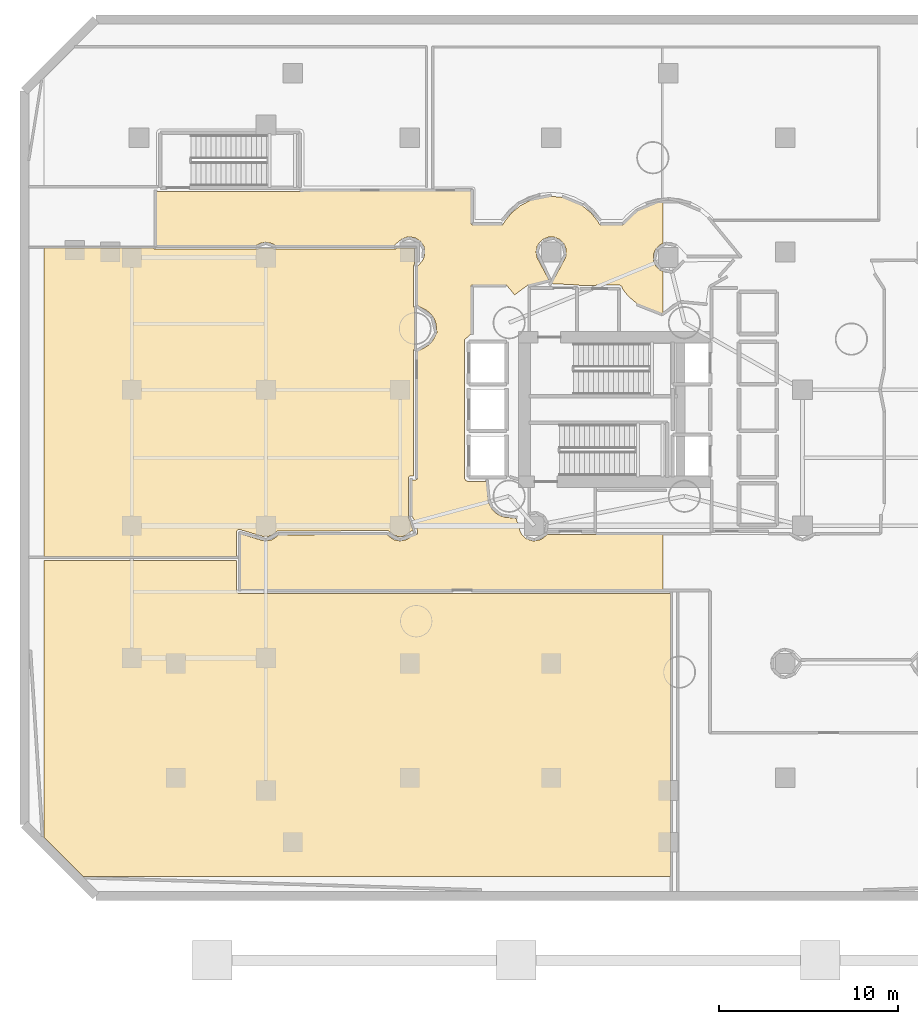
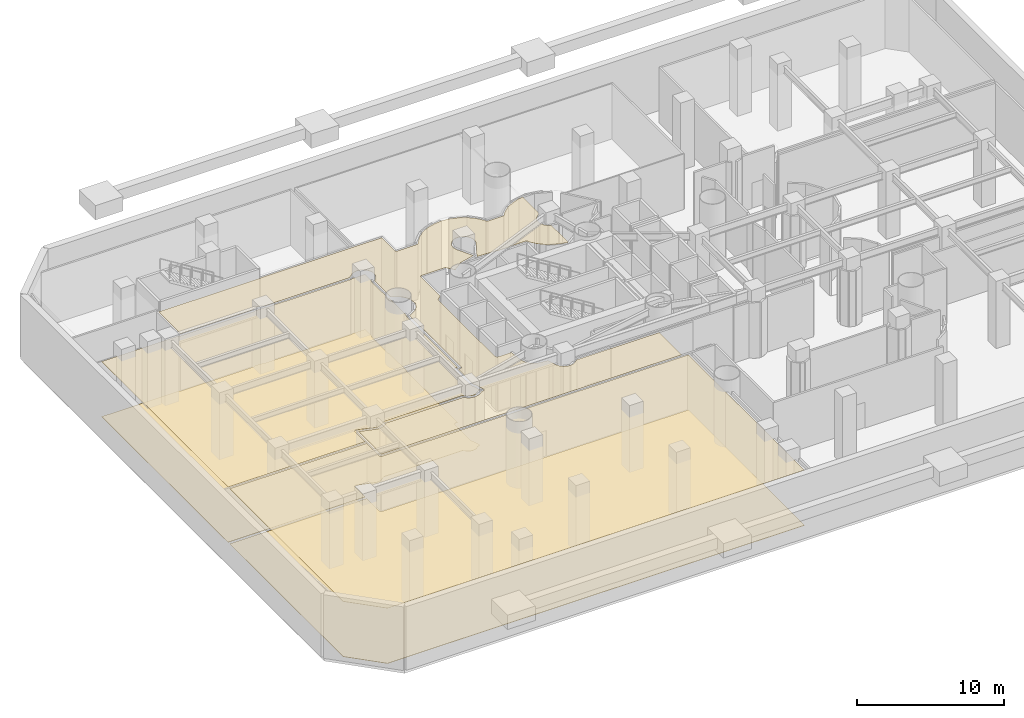
# One storey, part 8 of 11: 5 coverings.
"""IFC4 building model written with IfcOpenShell, lengths in metres."""

from ifc_helpers import new_model, si_unit, direction, frame, origin, place, context, subcontext, project, spatial, polyline, outline, extrude, material, layer, layer_set, type_object, element, save


model = new_model("IFC4")

# Units and contexts
model_context = context("Model", 3, precision=1e-05, world=origin(), true_north=direction((0.0, 1.0)))
body_context = subcontext(model_context, "Body", "Model", "MODEL_VIEW")
ifc_project = project(units=[si_unit("LENGTHUNIT", "METRE"), si_unit("AREAUNIT", "SQUARE_METRE"), si_unit("VOLUMEUNIT", "CUBIC_METRE"), si_unit("PLANEANGLEUNIT", "RADIAN"), si_unit("MASSUNIT", "GRAM", prefix="KILO")], contexts=[model_context])

# Site, building, storey
site_placement = place(None, origin())
site = spatial("IfcSite", under=ifc_project, at=site_placement, CompositionType="ELEMENT")
building_placement = place(site_placement, origin())
building = spatial("IfcBuilding", under=site, at=building_placement, Name="Qianvela Tower", CompositionType="ELEMENT")
storey_placement = place(building_placement, frame((0.0, 0.0, -5.60009765625)))
storey = spatial("IfcBuildingStorey", under=building, at=storey_placement, Name="B01", CompositionType="ELEMENT", Elevation=-5.60009765625)

# Coverings
ifc_material_1 = material(Name="Perforated Mineral Acoustic Ceiling Tile")
ifc_layer_1 = layer(ifc_material_1, 0.02490234375)
ifc_layer_set_1 = layer_set([ifc_layer_1], Name="Perforated Mineral Acoustic Ceiling Tile")
covering_type_1 = type_object("IfcCoveringType", Name="COV-CEIL-ACOUSTIC-25", PredefinedType="CEILING", material=ifc_layer_set_1)
covering_1_placement = place(storey_placement, frame((0.0, 0.0, 4.59521484375)))
element("IfcCovering", 1, at=covering_1_placement, inside=storey, type_object=covering_type_1, Name="B01 Acoustic Ceiling Bay 1 B01 Plant and Bicycle Corridor", PredefinedType="CEILING", context=body_context, shape_type="SweptSolid", body=[
    extrude(outline(polyline([(8.8798828125, 40.8798828125), (16.89990234375, 40.8798828125), (16.908935546875, 40.880615234375), (16.917724609375, 40.882080078125), (17.085205078125, 40.919921875), (26.469970703125, 40.919921875), (26.469970703125, 39.10009765625), (26.470458984375, 39.09228515625), (26.471435546875, 39.08447265625), (26.473388671875, 39.076904296875), (26.47607421875, 39.0693359375), (26.4794921875, 39.062255859375), (26.4833984375, 39.0556640625), (26.48828125, 39.04931640625), (26.493408203125, 39.04345703125), (26.499267578125, 39.0380859375), (26.505615234375, 39.033447265625), (26.51220703125, 39.029296875), (26.519287109375, 39.026123046875), (26.52685546875, 39.0234375), (26.534423828125, 39.021484375), (26.542236328125, 39.0205078125), (26.550048828125, 39.02001953125), (28.19970703125, 39.02001953125), (28.20751953125, 39.0205078125), (28.21533203125, 39.021484375), (28.222900390625, 39.0234375), (28.230224609375, 39.026123046875), (28.2373046875, 39.029296875), (28.244140625, 39.033447265625), (28.25048828125, 39.0380859375), (28.256103515625, 39.04345703125), (28.261474609375, 39.04931640625), (28.26611328125, 39.0556640625), (28.270263671875, 39.062255859375), (28.361572265625, 39.233154296875), (28.74951171875, 39.705810546875), (29.22216796875, 40.093994140625), (29.76171875, 40.382080078125), (30.3466796875, 40.559814453125), (30.955322265625, 40.61962890625), (31.56396484375, 40.559814453125), (32.149169921875, 40.382080078125), (32.688720703125, 40.093994140625), (33.161376953125, 39.705810546875), (33.54931640625, 39.233154296875), (33.640625, 39.062255859375), (33.64453125, 39.0556640625), (33.6494140625, 39.04931640625), (33.654541015625, 39.04345703125), (33.660400390625, 39.0380859375), (33.666748046875, 39.033447265625), (33.67333984375, 39.029296875), (33.680419921875, 39.026123046875), (33.68798828125, 39.0234375), (33.695556640625, 39.021484375), (33.703369140625, 39.0205078125), (33.711181640625, 39.02001953125), (34.939697265625, 39.02001953125), (34.947509765625, 39.0205078125), (34.955078125, 39.021484375), (34.962890625, 39.0234375), (34.97021484375, 39.026123046875), (34.977294921875, 39.029296875), (34.98388671875, 39.033447265625), (34.990234375, 39.0380859375), (34.99609375, 39.04345703125), (35.00146484375, 39.04931640625), (35.294189453125, 39.406005859375), (35.766845703125, 39.7939453125), (36.30615234375, 40.08203125), (36.891357421875, 40.259765625), (37.21533203125, 40.29150390625), (37.21533203125, 37.986083984375), (37.04150390625, 37.9140625), (37.034423828125, 37.910888671875), (37.02783203125, 37.90673828125), (37.021484375, 37.902099609375), (37.015625, 37.896728515625), (36.80322265625, 37.684326171875), (36.7978515625, 37.678466796875), (36.793212890625, 37.672119140625), (36.789306640625, 37.66552734375), (36.785888671875, 37.658447265625), (36.6708984375, 37.380859375), (36.668212890625, 37.373291015625), (36.666259765625, 37.36572265625), (36.665283203125, 37.358154296875), (36.664794921875, 37.35009765625), (36.664794921875, 37.0498046875), (36.665283203125, 37.0419921875), (36.666259765625, 37.0341796875), (36.668212890625, 37.026611328125), (36.6708984375, 37.019287109375), (36.785888671875, 36.74169921875), (36.789306640625, 36.734619140625), (36.793212890625, 36.727783203125), (36.7978515625, 36.721435546875), (36.80322265625, 36.715576171875), (37.015625, 36.503173828125), (37.021484375, 36.497802734375), (37.02783203125, 36.493408203125), (37.034423828125, 36.4892578125), (37.04150390625, 36.48583984375), (37.21533203125, 36.413818359375), (37.21533203125, 34.123046875), (37.143310546875, 34.06396484375), (36.30615234375, 34.31787109375), (35.766845703125, 34.606201171875), (35.294189453125, 34.994140625), (34.957763671875, 35.40380859375), (34.906494140625, 35.542236328125), (34.9033203125, 35.5498046875), (34.8994140625, 35.556884765625), (34.894775390625, 35.5634765625), (34.889404296875, 35.569580078125), (34.883544921875, 35.5751953125), (34.806884765625, 35.640869140625), (34.800537109375, 35.645751953125), (34.793701171875, 35.64990234375), (34.786376953125, 35.653564453125), (34.77880859375, 35.65625), (34.77099609375, 35.658447265625), (34.762939453125, 35.65966796875), (34.7548828125, 35.659912109375), (33.49951171875, 35.659912109375), (33.49169921875, 35.65966796875), (33.48388671875, 35.658447265625), (33.476318359375, 35.656494140625), (33.46875, 35.65380859375), (33.461669921875, 35.650634765625), (33.455078125, 35.646484375), (33.44873046875, 35.641845703125), (33.44287109375, 35.63671875), (33.4375, 35.630859375), (33.430419921875, 35.6220703125), (32.5966796875, 35.6220703125), (32.4453125, 35.659423828125), (32.437744140625, 35.660888671875), (32.429931640625, 35.66162109375), (30.970703125, 35.7333984375), (31.7373046875, 37.16748046875), (31.74072265625, 37.1748046875), (31.743408203125, 37.18212890625), (31.787109375, 37.32666015625), (31.7890625, 37.334228515625), (31.790283203125, 37.341796875), (31.79052734375, 37.349853515625), (31.79052734375, 37.650146484375), (31.790283203125, 37.658203125), (31.7890625, 37.665771484375), (31.787109375, 37.67333984375), (31.784423828125, 37.680908203125), (31.66943359375, 37.95849609375), (31.666259765625, 37.965576171875), (31.662109375, 37.97216796875), (31.657470703125, 37.978515625), (31.652099609375, 37.984375), (31.439697265625, 38.19677734375), (31.433837890625, 38.2021484375), (31.427490234375, 38.206787109375), (31.4208984375, 38.210693359375), (31.413818359375, 38.214111328125), (31.13623046875, 38.3291015625), (31.12890625, 38.331787109375), (31.12109375, 38.333740234375), (31.113525390625, 38.334716796875), (31.105712890625, 38.335205078125), (30.80517578125, 38.335205078125), (30.79736328125, 38.334716796875), (30.78955078125, 38.333740234375), (30.781982421875, 38.331787109375), (30.774658203125, 38.3291015625), (30.4970703125, 38.214111328125), (30.489990234375, 38.210693359375), (30.483154296875, 38.206787109375), (30.476806640625, 38.2021484375), (30.470947265625, 38.19677734375), (30.258544921875, 37.984375), (30.25341796875, 37.978515625), (30.248779296875, 37.97216796875), (30.24462890625, 37.965576171875), (30.173583984375, 37.83251953125), (30.170166015625, 37.8251953125), (30.16748046875, 37.81787109375), (30.16552734375, 37.810302734375), (30.10693359375, 37.515625), (30.105712890625, 37.5078125), (30.10546875, 37.5), (30.105712890625, 37.4921875), (30.10693359375, 37.484375), (30.16552734375, 37.189697265625), (30.16748046875, 37.18212890625), (30.170166015625, 37.1748046875), (30.173583984375, 37.16748046875), (30.8251953125, 35.947998046875), (29.65673828125, 35.65478515625), (29.6494140625, 35.652587890625), (29.64208984375, 35.649658203125), (29.63525390625, 35.64599609375), (29.628662109375, 35.6416015625), (28.90380859375, 35.10595703125), (28.47314453125, 35.630859375), (28.468017578125, 35.63671875), (28.462158203125, 35.641845703125), (28.455810546875, 35.646484375), (28.44921875, 35.650634765625), (28.44189453125, 35.65380859375), (28.4345703125, 35.656494140625), (28.427001953125, 35.658447265625), (28.419189453125, 35.65966796875), (28.411376953125, 35.659912109375), (26.550048828125, 35.659912109375), (26.542236328125, 35.65966796875), (26.534423828125, 35.658447265625), (26.52685546875, 35.656494140625), (26.519287109375, 35.65380859375), (26.51220703125, 35.650634765625), (26.505615234375, 35.646484375), (26.499267578125, 35.641845703125), (26.493408203125, 35.63671875), (26.48828125, 35.630859375), (26.4833984375, 35.62451171875), (26.4794921875, 35.61767578125), (26.47607421875, 35.610595703125), (26.473388671875, 35.603271484375), (26.471435546875, 35.595703125), (26.470458984375, 35.587890625), (26.469970703125, 35.580078125), (26.469970703125, 32.93212890625), (26.12548828125, 32.6123046875), (26.119873046875, 32.6064453125), (26.11474609375, 32.60009765625), (26.1103515625, 32.593017578125), (26.106689453125, 32.585693359375), (26.103759765625, 32.577880859375), (26.101806640625, 32.570068359375), (26.100341796875, 32.56201171875), (26.10009765625, 32.5537109375), (26.102783203125, 24.872802734375), (26.10302734375, 24.86474609375), (26.104248046875, 24.857177734375), (26.106201171875, 24.849609375), (26.10888671875, 24.842041015625), (26.112060546875, 24.8349609375), (26.150390625, 24.76318359375), (26.15478515625, 24.756103515625), (26.159912109375, 24.749267578125), (26.165771484375, 24.7431640625), (26.17236328125, 24.737548828125), (26.17919921875, 24.732666015625), (26.186767578125, 24.728759765625), (26.272216796875, 24.6884765625), (26.2802734375, 24.68505859375), (26.288818359375, 24.6826171875), (26.29736328125, 24.68115234375), (26.30615234375, 24.6806640625), (27.31787109375, 24.679931640625), (27.421875, 23.623779296875), (27.423095703125, 23.615966796875), (27.425048828125, 23.6083984375), (27.48876953125, 23.398193359375), (27.4912109375, 23.390869140625), (27.49462890625, 23.3837890625), (27.59814453125, 23.18994140625), (27.602294921875, 23.183349609375), (27.60693359375, 23.177001953125), (27.74609375, 23.00732421875), (27.75146484375, 23.00146484375), (27.75732421875, 22.99609375), (27.927001953125, 22.85693359375), (27.933349609375, 22.852294921875), (27.93994140625, 22.84814453125), (28.1337890625, 22.74462890625), (28.140869140625, 22.7412109375), (28.148193359375, 22.73876953125), (28.3583984375, 22.675048828125), (28.365966796875, 22.673095703125), (28.373779296875, 22.671875), (28.990966796875, 22.611083984375), (29.212158203125, 21.882080078125), (29.214599609375, 21.874755859375), (29.218017578125, 21.86767578125), (29.289306640625, 21.734619140625), (29.293212890625, 21.727783203125), (29.2978515625, 21.721435546875), (29.30322265625, 21.715576171875), (29.515625, 21.503173828125), (29.521484375, 21.497802734375), (29.52783203125, 21.493408203125), (29.534423828125, 21.4892578125), (29.54150390625, 21.48583984375), (29.819091796875, 21.370849609375), (29.82666015625, 21.3681640625), (29.834228515625, 21.3662109375), (29.841796875, 21.365234375), (29.9921875, 21.350341796875), (30.0, 21.35009765625), (30.0078125, 21.350341796875), (30.015625, 21.3515625), (30.310302734375, 21.41015625), (30.31787109375, 21.412109375), (30.3251953125, 21.414794921875), (30.33251953125, 21.418212890625), (30.465576171875, 21.4892578125), (30.47216796875, 21.493408203125), (30.478515625, 21.497802734375), (30.724853515625, 21.699951171875), (37.21533203125, 21.699951171875), (37.21533203125, 18.6298828125), (13.580078125, 18.6298828125), (13.580078125, 21.746337890625), (14.82666015625, 21.3681640625), (14.834228515625, 21.3662109375), (14.841796875, 21.365234375), (14.9921875, 21.350341796875), (15.0, 21.35009765625), (15.0078125, 21.350341796875), (15.015625, 21.3515625), (15.310302734375, 21.41015625), (15.31787109375, 21.412109375), (15.3251953125, 21.414794921875), (15.33251953125, 21.418212890625), (15.465576171875, 21.4892578125), (15.47216796875, 21.493408203125), (15.478515625, 21.497802734375), (15.71533203125, 21.6923828125), (21.775390625, 21.699951171875), (22.021484375, 21.497802734375), (22.02783203125, 21.493408203125), (22.034423828125, 21.4892578125), (22.16748046875, 21.418212890625), (22.1748046875, 21.414794921875), (22.18212890625, 21.412109375), (22.189697265625, 21.41015625), (22.484375, 21.3515625), (22.4921875, 21.350341796875), (22.5, 21.35009765625), (22.5078125, 21.350341796875), (22.515625, 21.3515625), (22.810302734375, 21.41015625), (22.81787109375, 21.412109375), (22.8251953125, 21.414794921875), (22.83251953125, 21.418212890625), (22.965576171875, 21.4892578125), (22.97216796875, 21.493408203125), (22.978515625, 21.497802734375), (23.218017578125, 21.694580078125), (23.40234375, 21.699951171875), (23.41015625, 21.70068359375), (23.417724609375, 21.701904296875), (23.425048828125, 21.7041015625), (23.432373046875, 21.706787109375), (23.439208984375, 21.710205078125), (23.44580078125, 21.71435546875), (23.451904296875, 21.718994140625), (23.45751953125, 21.724365234375), (23.46240234375, 21.72998046875), (23.467041015625, 21.736328125), (23.470947265625, 21.742919921875), (23.47412109375, 21.75), (23.476806640625, 21.757080078125), (23.478515625, 21.7646484375), (23.4794921875, 21.772216796875), (23.47998046875, 21.780029296875), (23.47998046875, 21.872802734375), (23.4794921875, 21.880615234375), (23.478515625, 21.888427734375), (23.4765625, 21.89599609375), (23.287841796875, 22.517822265625), (23.285400390625, 22.525390625), (23.281982421875, 22.532470703125), (23.179931640625, 22.72314453125), (23.179931640625, 24.77001953125), (23.39990234375, 24.77001953125), (23.40771484375, 24.7705078125), (23.41552734375, 24.771484375), (23.423095703125, 24.7734375), (23.4306640625, 24.776123046875), (23.437744140625, 24.779296875), (23.4443359375, 24.783447265625), (23.45068359375, 24.7880859375), (23.45654296875, 24.79345703125), (23.4619140625, 24.79931640625), (23.466552734375, 24.8056640625), (23.470703125, 24.812255859375), (23.473876953125, 24.8193359375), (23.4765625, 24.826904296875), (23.478515625, 24.83447265625), (23.4794921875, 24.84228515625), (23.47998046875, 24.85009765625), (23.47998046875, 31.949462890625), (23.998046875, 32.226318359375), (24.004638671875, 32.230224609375), (24.010986328125, 32.23486328125), (24.1806640625, 32.374267578125), (24.1865234375, 32.37939453125), (24.19189453125, 32.38525390625), (24.3310546875, 32.554931640625), (24.335693359375, 32.561279296875), (24.33984375, 32.568115234375), (24.55078125, 32.963134765625), (24.55419921875, 32.97021484375), (24.556884765625, 32.9775390625), (24.558837890625, 32.985107421875), (24.56005859375, 32.992919921875), (24.560302734375, 33.000732421875), (24.56005859375, 33.008544921875), (24.51611328125, 33.454345703125), (24.514892578125, 33.462158203125), (24.512939453125, 33.4697265625), (24.44921875, 33.6796875), (24.44677734375, 33.687255859375), (24.443359375, 33.6943359375), (24.33984375, 33.887939453125), (24.335693359375, 33.894775390625), (24.3310546875, 33.90087890625), (24.19189453125, 34.07080078125), (24.1865234375, 34.076416015625), (24.1806640625, 34.081787109375), (24.010986328125, 34.22119140625), (24.004638671875, 34.225830078125), (23.998046875, 34.229736328125), (23.47998046875, 34.506591796875), (23.47998046875, 36.696533203125), (23.74658203125, 37.021484375), (23.751220703125, 37.02783203125), (23.75537109375, 37.034423828125), (23.826416015625, 37.16748046875), (23.829833984375, 37.1748046875), (23.83251953125, 37.18212890625), (23.87646484375, 37.32666015625), (23.87841796875, 37.334228515625), (23.87939453125, 37.341796875), (23.8798828125, 37.349853515625), (23.8798828125, 37.650146484375), (23.87939453125, 37.658203125), (23.87841796875, 37.665771484375), (23.87646484375, 37.67333984375), (23.83251953125, 37.81787109375), (23.829833984375, 37.8251953125), (23.826416015625, 37.83251953125), (23.822509765625, 37.839111328125), (23.655517578125, 38.0888671875), (23.65087890625, 38.09521484375), (23.6455078125, 38.10107421875), (23.639892578125, 38.106201171875), (23.633544921875, 38.111083984375), (23.3837890625, 38.27783203125), (23.376953125, 38.281982421875), (23.369873046875, 38.285400390625), (23.362548828125, 38.287841796875), (23.35498046875, 38.289794921875), (23.060302734375, 38.348388671875), (23.052490234375, 38.349609375), (23.044677734375, 38.35009765625), (23.036865234375, 38.349609375), (22.886474609375, 38.334716796875), (22.87890625, 38.333740234375), (22.87109375, 38.331787109375), (22.86376953125, 38.3291015625), (22.586181640625, 38.214111328125), (22.5791015625, 38.210693359375), (22.572509765625, 38.206787109375), (22.566162109375, 38.2021484375), (22.173583984375, 37.8798828125), (15.523193359375, 37.8798828125), (15.33251953125, 37.98193359375), (15.3251953125, 37.9853515625), (15.31787109375, 37.98779296875), (15.310302734375, 37.989990234375), (15.015625, 38.048583984375), (15.0078125, 38.049560546875), (15.0, 38.050048828125), (14.9921875, 38.049560546875), (14.984375, 38.048583984375), (14.689697265625, 37.989990234375), (14.68212890625, 37.98779296875), (14.6748046875, 37.9853515625), (14.66748046875, 37.98193359375), (14.476806640625, 37.8798828125), (8.8798828125, 37.8798828125), (8.8798828125, 40.8798828125)])), origin(), (0.0, 0.0, 1.0), 0.02490234375),
])
covering_2_placement = place(storey_placement, frame((0.0, 0.0, 4.59521484375)))
element("IfcCovering", 2, at=covering_2_placement, inside=storey, type_object=covering_type_1, Name="B01 Acoustic Ceiling B01 Commuter Bicycle Storage West", PredefinedType="CEILING", context=body_context, shape_type="SweptSolid", body=[
    extrude(outline(polyline([(23.320068359375, 36.84619140625), (23.2705078125, 36.76806640625), (23.2666015625, 36.761474609375), (23.263671875, 36.754638671875), (23.26123046875, 36.74755859375), (23.259521484375, 36.739990234375), (23.25830078125, 36.732666015625), (23.258056640625, 36.72509765625), (23.258056640625, 34.458740234375), (23.25830078125, 34.450439453125), (23.259765625, 34.4423828125), (23.26171875, 34.434326171875), (23.2646484375, 34.426513671875), (23.268310546875, 34.419189453125), (23.27294921875, 34.412353515625), (23.278076171875, 34.40576171875), (23.320068359375, 34.358154296875), (23.320068359375, 32.097900390625), (23.278076171875, 32.05029296875), (23.27294921875, 32.043701171875), (23.268310546875, 32.036865234375), (23.2646484375, 32.029296875), (23.26171875, 32.021728515625), (23.259765625, 32.013671875), (23.25830078125, 32.005615234375), (23.258056640625, 31.997314453125), (23.258056640625, 24.99169921875), (23.08740234375, 24.99072265625), (23.07958984375, 24.990478515625), (23.072021484375, 24.9892578125), (23.064453125, 24.9873046875), (23.05712890625, 24.984619140625), (23.050048828125, 24.981201171875), (23.04345703125, 24.977294921875), (23.037109375, 24.97265625), (23.03125, 24.96728515625), (23.026123046875, 24.961669921875), (22.976318359375, 24.90087890625), (22.971435546875, 24.894287109375), (22.96728515625, 24.8876953125), (22.964111328125, 24.880615234375), (22.96142578125, 24.873291015625), (22.95947265625, 24.865478515625), (22.95849609375, 24.85791015625), (22.9580078125, 24.85009765625), (22.958251953125, 22.697021484375), (22.958740234375, 22.689453125), (22.959716796875, 22.681884765625), (22.96142578125, 22.674560546875), (22.9638671875, 22.66748046875), (22.967041015625, 22.66064453125), (23.0791015625, 22.441162109375), (23.23291015625, 21.91455078125), (23.15966796875, 21.910400390625), (23.152099609375, 21.90966796875), (23.14453125, 21.908203125), (23.13720703125, 21.906005859375), (23.130126953125, 21.903076171875), (23.123291015625, 21.899658203125), (23.116943359375, 21.8955078125), (22.74072265625, 21.622802734375), (22.5, 21.57470703125), (22.2587890625, 21.622802734375), (21.856201171875, 21.906982421875), (21.84912109375, 21.911376953125), (21.841796875, 21.9150390625), (21.833984375, 21.91796875), (21.826171875, 21.919921875), (21.818115234375, 21.921142578125), (21.809814453125, 21.921630859375), (15.6865234375, 21.914306640625), (15.678466796875, 21.913818359375), (15.67041015625, 21.91259765625), (15.66259765625, 21.91064453125), (15.655029296875, 21.90771484375), (15.64794921875, 21.904296875), (15.64111328125, 21.89990234375), (15.24169921875, 21.622802734375), (14.992919921875, 21.573486328125), (14.87744140625, 21.584716796875), (13.516845703125, 21.99267578125), (13.5087890625, 21.994384765625), (13.500732421875, 21.99560546875), (13.49267578125, 21.995849609375), (13.484619140625, 21.995361328125), (13.476318359375, 21.993896484375), (13.468505859375, 21.99169921875), (13.4609375, 21.98876953125), (13.45361328125, 21.985107421875), (13.44677734375, 21.980712890625), (13.4404296875, 21.975341796875), (13.4345703125, 21.9697265625), (13.378662109375, 21.907958984375), (13.3740234375, 21.90234375), (13.369873046875, 21.896240234375), (13.3662109375, 21.889892578125), (13.36328125, 21.883056640625), (13.361083984375, 21.876220703125), (13.359375, 21.868896484375), (13.3583984375, 21.861572265625), (13.35791015625, 21.854248046875), (13.35791015625, 20.47998046875), (2.580078125, 20.47998046875), (2.580078125, 37.719970703125), (8.704833984375, 37.719970703125), (8.743408203125, 37.681396484375), (8.749267578125, 37.67626953125), (8.755615234375, 37.67138671875), (8.76220703125, 37.66748046875), (8.769287109375, 37.6640625), (8.77685546875, 37.661376953125), (8.784423828125, 37.659423828125), (8.792236328125, 37.658447265625), (8.800048828125, 37.657958984375), (14.496826171875, 37.657958984375), (14.505615234375, 37.658447265625), (14.514404296875, 37.659912109375), (14.52294921875, 37.662353515625), (14.531005859375, 37.66552734375), (14.646484375, 37.719970703125), (15.353515625, 37.719970703125), (15.468994140625, 37.66552734375), (15.47705078125, 37.662353515625), (15.485595703125, 37.659912109375), (15.494384765625, 37.658447265625), (15.503173828125, 37.657958984375), (22.2021484375, 37.657958984375), (22.209716796875, 37.658447265625), (22.21728515625, 37.659423828125), (22.224609375, 37.6611328125), (22.231689453125, 37.66357421875), (22.238525390625, 37.666748046875), (22.2451171875, 37.67041015625), (22.3232421875, 37.719970703125), (23.320068359375, 37.719970703125), (23.320068359375, 36.84619140625)])), origin(), (0.0, 0.0, 1.0), 0.02490234375),
])
covering_3_placement = place(storey_placement, frame((0.0, 0.0, 4.59521484375)))
element("IfcCovering", 3, at=covering_3_placement, inside=storey, type_object=covering_type_1, Name="B01 Acoustic Ceiling B01 Building Telecoms and Fibre Intake Room", PredefinedType="CEILING", context=body_context, shape_type="SweptSolid", body=[
    extrude(outline(polyline([(37.6201171875, 2.580078125), (4.78759765625, 2.580078125), (2.580078125, 4.78759765625), (2.580078125, 20.258056640625), (13.35791015625, 20.258056640625), (13.35791015625, 18.550048828125), (13.3583984375, 18.54248046875), (13.359375, 18.535400390625), (13.361083984375, 18.5283203125), (13.36328125, 18.521240234375), (13.3662109375, 18.514404296875), (13.369873046875, 18.508056640625), (13.3740234375, 18.501953125), (13.378662109375, 18.496337890625), (13.4345703125, 18.4345703125), (13.440673828125, 18.4287109375), (13.447021484375, 18.423583984375), (13.4541015625, 18.4189453125), (13.46142578125, 18.415283203125), (13.46923828125, 18.412109375), (13.477294921875, 18.409912109375), (13.485595703125, 18.40869140625), (13.493896484375, 18.408203125), (37.6201171875, 18.407958984375), (37.6201171875, 2.580078125)])), origin(), (0.0, 0.0, 1.0), 0.02490234375),
])
ifc_material_2 = material(Name="Honed Stone Terrazzo Flooring", Category="masonry")
ifc_layer_2 = layer(ifc_material_2, 0.030029296875)
ifc_layer_set_2 = layer_set([ifc_layer_2], Name="Honed Stone Terrazzo Flooring")
covering_type_2 = type_object("IfcCoveringType", Name="COV-FLOOR-TERRAZZO-30", PredefinedType="FLOORING", material=ifc_layer_set_2)
covering_4_placement = place(storey_placement, origin())
element("IfcCovering", 4, at=covering_4_placement, inside=storey, type_object=covering_type_2, Name="B01 Finish Flooring B01 Commuter Bicycle Storage West", PredefinedType="FLOORING", context=body_context, shape_type="SweptSolid", body=[
    extrude(outline(polyline([(23.320068359375, 36.84619140625), (23.2705078125, 36.76806640625), (23.2666015625, 36.761474609375), (23.263671875, 36.754638671875), (23.26123046875, 36.74755859375), (23.259521484375, 36.739990234375), (23.25830078125, 36.732666015625), (23.258056640625, 36.72509765625), (23.258056640625, 34.458740234375), (23.25830078125, 34.450439453125), (23.259765625, 34.4423828125), (23.26171875, 34.434326171875), (23.2646484375, 34.426513671875), (23.268310546875, 34.419189453125), (23.27294921875, 34.412353515625), (23.278076171875, 34.40576171875), (23.320068359375, 34.358154296875), (23.320068359375, 32.097900390625), (23.278076171875, 32.05029296875), (23.27294921875, 32.043701171875), (23.268310546875, 32.036865234375), (23.2646484375, 32.029296875), (23.26171875, 32.021728515625), (23.259765625, 32.013671875), (23.25830078125, 32.005615234375), (23.258056640625, 31.997314453125), (23.258056640625, 24.99169921875), (23.08740234375, 24.99072265625), (23.07958984375, 24.990478515625), (23.072021484375, 24.9892578125), (23.064453125, 24.9873046875), (23.05712890625, 24.984619140625), (23.050048828125, 24.981201171875), (23.04345703125, 24.977294921875), (23.037109375, 24.97265625), (23.03125, 24.96728515625), (23.026123046875, 24.961669921875), (22.976318359375, 24.90087890625), (22.971435546875, 24.894287109375), (22.96728515625, 24.8876953125), (22.964111328125, 24.880615234375), (22.96142578125, 24.873291015625), (22.95947265625, 24.865478515625), (22.95849609375, 24.85791015625), (22.9580078125, 24.85009765625), (22.958251953125, 22.697021484375), (22.958740234375, 22.689453125), (22.959716796875, 22.681884765625), (22.96142578125, 22.674560546875), (22.9638671875, 22.66748046875), (22.967041015625, 22.66064453125), (23.0791015625, 22.441162109375), (23.23291015625, 21.91455078125), (23.15966796875, 21.910400390625), (23.152099609375, 21.90966796875), (23.14453125, 21.908203125), (23.13720703125, 21.906005859375), (23.130126953125, 21.903076171875), (23.123291015625, 21.899658203125), (23.116943359375, 21.8955078125), (22.74072265625, 21.622802734375), (22.5, 21.57470703125), (22.2587890625, 21.622802734375), (21.856201171875, 21.906982421875), (21.84912109375, 21.911376953125), (21.841796875, 21.9150390625), (21.833984375, 21.91796875), (21.826171875, 21.919921875), (21.818115234375, 21.921142578125), (21.809814453125, 21.921630859375), (15.6865234375, 21.914306640625), (15.678466796875, 21.913818359375), (15.67041015625, 21.91259765625), (15.66259765625, 21.91064453125), (15.655029296875, 21.90771484375), (15.64794921875, 21.904296875), (15.64111328125, 21.89990234375), (15.24169921875, 21.622802734375), (14.992919921875, 21.573486328125), (14.87744140625, 21.584716796875), (13.516845703125, 21.99267578125), (13.5087890625, 21.994384765625), (13.500732421875, 21.99560546875), (13.49267578125, 21.995849609375), (13.484619140625, 21.995361328125), (13.476318359375, 21.993896484375), (13.468505859375, 21.99169921875), (13.4609375, 21.98876953125), (13.45361328125, 21.985107421875), (13.44677734375, 21.980712890625), (13.4404296875, 21.975341796875), (13.4345703125, 21.9697265625), (13.378662109375, 21.907958984375), (13.3740234375, 21.90234375), (13.369873046875, 21.896240234375), (13.3662109375, 21.889892578125), (13.36328125, 21.883056640625), (13.361083984375, 21.876220703125), (13.359375, 21.868896484375), (13.3583984375, 21.861572265625), (13.35791015625, 21.854248046875), (13.35791015625, 20.47998046875), (2.580078125, 20.47998046875), (2.580078125, 37.719970703125), (8.704833984375, 37.719970703125), (8.743408203125, 37.681396484375), (8.749267578125, 37.67626953125), (8.755615234375, 37.67138671875), (8.76220703125, 37.66748046875), (8.769287109375, 37.6640625), (8.77685546875, 37.661376953125), (8.784423828125, 37.659423828125), (8.792236328125, 37.658447265625), (8.800048828125, 37.657958984375), (14.496826171875, 37.657958984375), (14.505615234375, 37.658447265625), (14.514404296875, 37.659912109375), (14.52294921875, 37.662353515625), (14.531005859375, 37.66552734375), (14.646484375, 37.719970703125), (15.353515625, 37.719970703125), (15.468994140625, 37.66552734375), (15.47705078125, 37.662353515625), (15.485595703125, 37.659912109375), (15.494384765625, 37.658447265625), (15.503173828125, 37.657958984375), (22.2021484375, 37.657958984375), (22.209716796875, 37.658447265625), (22.21728515625, 37.659423828125), (22.224609375, 37.6611328125), (22.231689453125, 37.66357421875), (22.238525390625, 37.666748046875), (22.2451171875, 37.67041015625), (22.3232421875, 37.719970703125), (23.320068359375, 37.719970703125), (23.320068359375, 36.84619140625)])), origin(), (0.0, 0.0, 1.0), 0.030029296875),
])
covering_5_placement = place(storey_placement, origin())
element("IfcCovering", 5, at=covering_5_placement, inside=storey, type_object=covering_type_2, Name="B01 Finish Flooring B01 Building Telecoms and Fibre Intake Room", PredefinedType="FLOORING", context=body_context, shape_type="SweptSolid", body=[
    extrude(outline(polyline([(37.6201171875, 2.580078125), (4.78759765625, 2.580078125), (2.580078125, 4.78759765625), (2.580078125, 20.258056640625), (13.35791015625, 20.258056640625), (13.35791015625, 18.550048828125), (13.3583984375, 18.54248046875), (13.359375, 18.535400390625), (13.361083984375, 18.5283203125), (13.36328125, 18.521240234375), (13.3662109375, 18.514404296875), (13.369873046875, 18.508056640625), (13.3740234375, 18.501953125), (13.378662109375, 18.496337890625), (13.4345703125, 18.4345703125), (13.440673828125, 18.4287109375), (13.447021484375, 18.423583984375), (13.4541015625, 18.4189453125), (13.46142578125, 18.415283203125), (13.46923828125, 18.412109375), (13.477294921875, 18.409912109375), (13.485595703125, 18.40869140625), (13.493896484375, 18.408203125), (37.6201171875, 18.407958984375), (37.6201171875, 2.580078125)])), origin(), (0.0, 0.0, 1.0), 0.030029296875),
])

save(model, "model.ifc")
